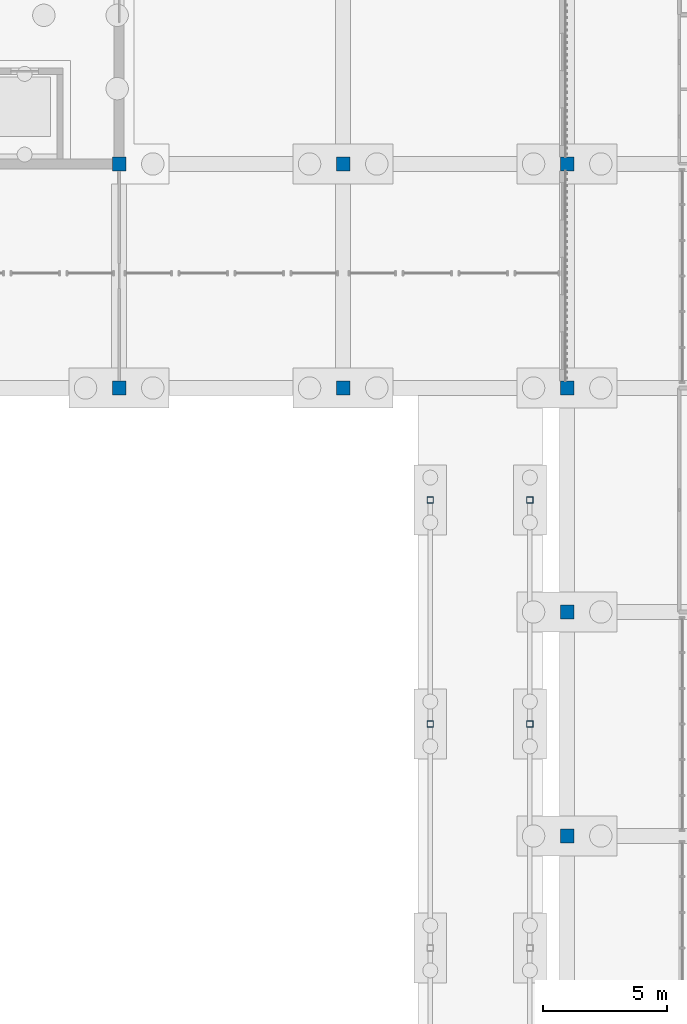
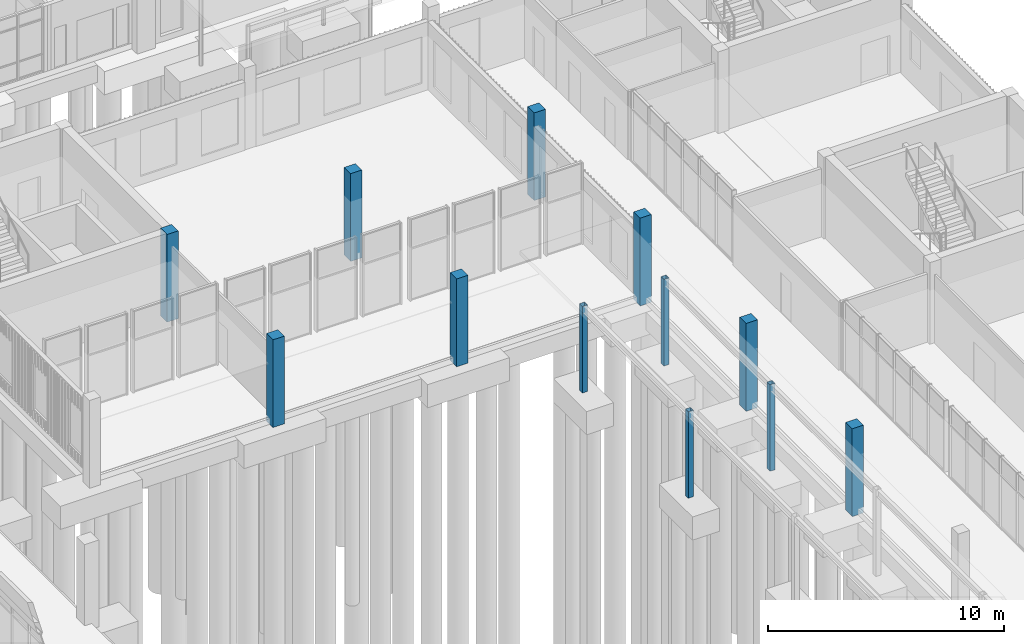
# One storey, part 20 of 106: 12 columns.
"""IFC4 building model written with IfcOpenShell, lengths in metres."""

from ifc_helpers import new_model, si_unit, direction, frame, origin, origin_2d, place, context, subcontext, project, spatial, rectangle, hollow_rectangle, extrude, material, material_profile, profile_set, type_object, element, save


model = new_model("IFC4")

# Units and contexts
model_context = context("Model", 3, precision=1e-05, world=origin(), true_north=direction((0.0, 1.0)))
body_context = subcontext(model_context, "Body", "Model", "MODEL_VIEW")
ifc_project = project(units=[si_unit("LENGTHUNIT", "METRE"), si_unit("AREAUNIT", "SQUARE_METRE"), si_unit("VOLUMEUNIT", "CUBIC_METRE"), si_unit("PLANEANGLEUNIT", "RADIAN"), si_unit("MASSUNIT", "GRAM", prefix="KILO")], contexts=[model_context])

# Site, building, storey
site_placement = place(None, origin())
site = spatial("IfcSite", under=ifc_project, at=site_placement, CompositionType="ELEMENT")
building_placement = place(site_placement, origin())
building = spatial("IfcBuilding", under=site, at=building_placement, Name="Merrow Basin Faculty of Sciences", CompositionType="ELEMENT")
storey_placement = place(building_placement, origin())
storey = spatial("IfcBuildingStorey", under=building, at=storey_placement, Name="L00", CompositionType="ELEMENT", Elevation=0.0)

# Columns
ifc_material_1 = material(Name="Steel ASTM A500 Gr C", Category="steel")
ifc_material_profile_1 = material_profile(ifc_material_1, hollow_rectangle(XDim=0.25390625, YDim=0.25390625, WallThickness=0.009521484375, at=origin_2d()))
ifc_profile_set_1 = profile_set([ifc_material_profile_1], Name="Steel ASTM A500 Gr C")
column_type_1 = type_object("IfcColumnType", Name="Canopy column HSS254x254x9.5", PredefinedType="COLUMN", material=ifc_profile_set_1)
for number, where, z_axis, x_axis, name in (
    (1, (48.5, 101.5, -0.300048828125), (0.0, 0.0, 1.0), (1.0, 0.0, 0.0), "Canopy column P3"),
    (2, (48.5, 110.5, -0.300048828125), (0.0, 0.0, 1.0), (1.0, 0.0, 0.0), "Canopy column P3"),
    (3, (52.5, 101.5, -0.300048828125), (0.0, 0.0, 1.0), (1.0, 0.0, 0.0), "Canopy column P3"),
    (4, (52.5, 110.5, -0.300048828125), (0.0, 0.0, 1.0), (1.0, 0.0, 0.0), "Canopy column P3"),
):
    element("IfcColumn", number, at=place(storey_placement, frame(where, z_axis=z_axis, x_axis=x_axis)), inside=storey, type_object=column_type_1, Name=name, PredefinedType="COLUMN", context=body_context, shape_type="SweptSolid", body=[
        extrude(hollow_rectangle(XDim=0.25390625, YDim=0.25390625, WallThickness=0.009521484375, at=origin_2d()), origin(), (0.0, 0.0, 1.0), 4.47998046875),
    ])
ifc_material_2 = material(Name="Concrete C40/50", Category="concrete")
ifc_material_profile_2 = material_profile(ifc_material_2, rectangle(XDim=0.550048828125, YDim=0.550048828125, at=origin_2d()))
ifc_profile_set_2 = profile_set([ifc_material_profile_2], Name="Concrete C40/50")
column_type_2 = type_object("IfcColumnType", Name="Column RC550x550 C40/50", PredefinedType="COLUMN", material=ifc_profile_set_2)
for number, where, z_axis, x_axis, name in (
    (5, (36.0, 115.0, -0.300048828125), (0.0, 0.0, 1.0), (1.0, 0.0, 0.0), "Column E7 L00"),
    (6, (36.0, 124.0, -0.300048828125), (0.0, 0.0, 1.0), (1.0, 0.0, 0.0), "Column E8 L00"),
    (7, (45.0, 115.0, -0.300048828125), (0.0, 0.0, 1.0), (1.0, 0.0, 0.0), "Column F7 L00"),
    (8, (45.0, 124.0, -0.300048828125), (0.0, 0.0, 1.0), (1.0, 0.0, 0.0), "Column F8 L00"),
    (9, (54.0, 97.0, -0.300048828125), (0.0, 0.0, 1.0), (1.0, 0.0, 0.0), "Column G5 L00"),
    (10, (54.0, 106.0, -0.300048828125), (0.0, 0.0, 1.0), (1.0, 0.0, 0.0), "Column G6 L00"),
    (11, (54.0, 115.0, -0.300048828125), (0.0, 0.0, 1.0), (1.0, 0.0, 0.0), "Column G7 L00"),
    (12, (54.0, 124.0, -0.300048828125), (0.0, 0.0, 1.0), (1.0, 0.0, 0.0), "Column G8 L00"),
):
    element("IfcColumn", number, at=place(storey_placement, frame(where, z_axis=z_axis, x_axis=x_axis)), inside=storey, type_object=column_type_2, Name=name, PredefinedType="COLUMN", context=body_context, shape_type="SweptSolid", body=[
        extrude(rectangle(XDim=0.550048828125, YDim=0.550048828125, at=origin_2d()), origin(), (0.0, 0.0, 1.0), 4.550048828125),
    ])

save(model, "model.ifc")
